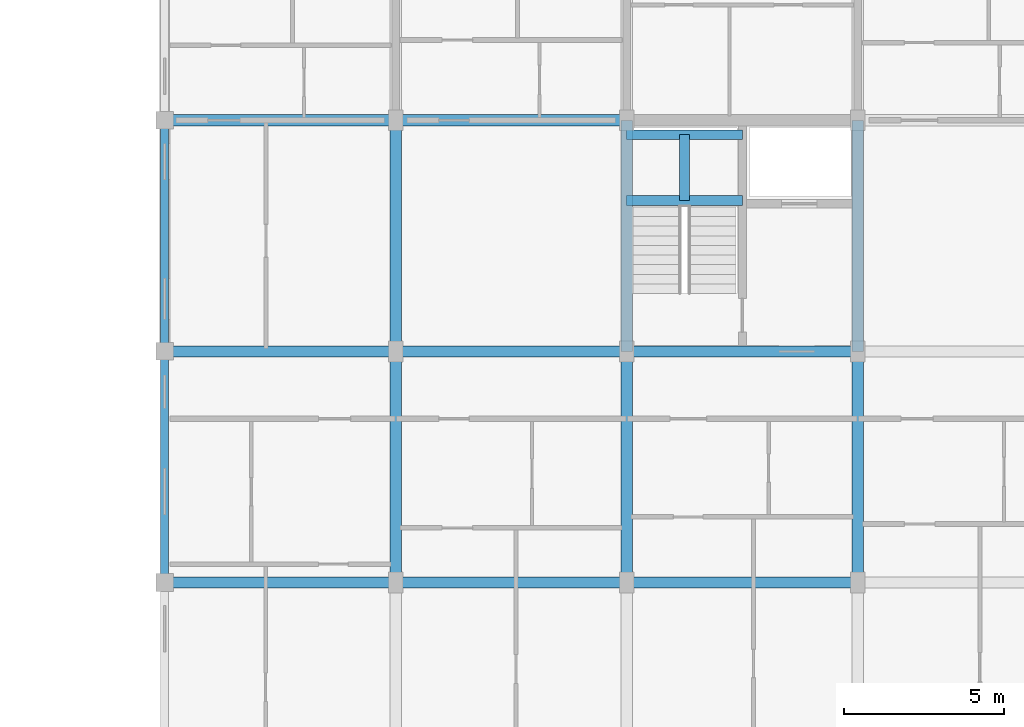
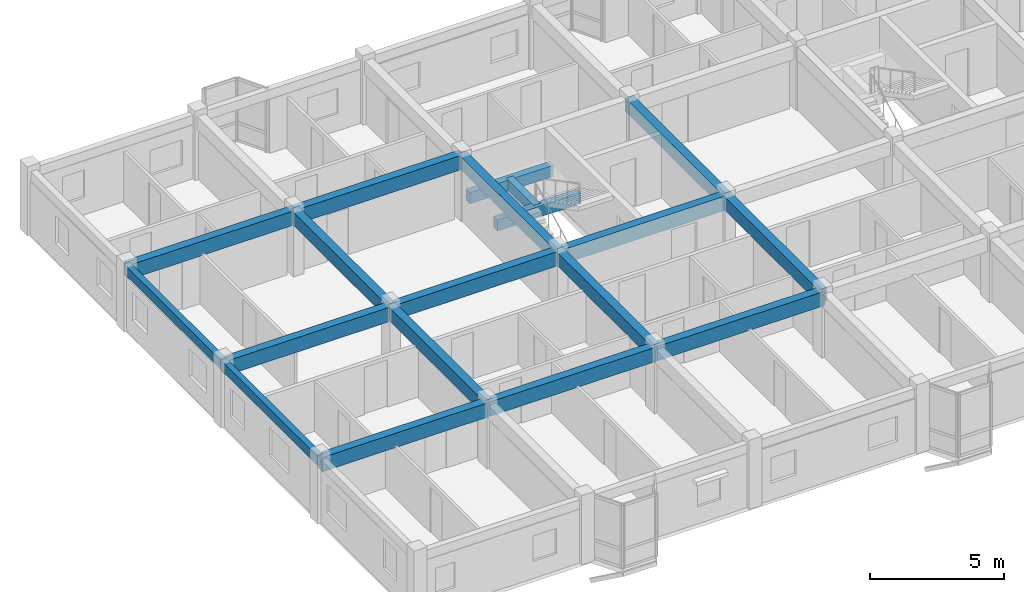
# One storey, part 36 of 77: 19 beams.
"""IFC4 building model written with IfcOpenShell, lengths in metres."""

import ifcopenshell
import ifcopenshell.guid

model = None  # the IFC model being written
_history = None  # IfcOwnerHistory: only IFC2X3 demands one
_inside = {}  # id of a spatial element -> (the spatial element, [elements in it])
_under = {}  # id of a project, library or spatial element -> (it, [spatial elements below it])
_declared = {}  # id of a project -> (the project, [libraries it declares])
_typed = {}  # id of a type object -> (the type object, [elements of that type])
_made_of = {}  # id of a material, layer set ... -> (it, [elements and type objects made of it])


def new_model(schema):
    """Start an empty IFC model of exactly this schema.

    Asked for "IFC4X3", IfcOpenShell would pick the latest addendum, in which some entities
    have other attributes; the version numbers below select the first issue.
    IFC2X3 requires an IfcOwnerHistory on every rooted entity: one is made here for all.
    """
    global model, _history
    if schema == "IFC4X3":
        model = ifcopenshell.file(schema_version=(4, 3, 0, 0))
    else:
        model = ifcopenshell.file(schema=schema)
    _inside.clear()
    _under.clear()
    _declared.clear()
    _typed.clear()
    _made_of.clear()
    _history = None
    if model.schema == "IFC2X3":
        org = make("IfcOrganization", Name="unknown")
        user = make(
            "IfcPersonAndOrganization",
            ThePerson=make("IfcPerson", FamilyName="unknown"),
            TheOrganization=org,
        )
        app = make(
            "IfcApplication",
            ApplicationDeveloper=org,
            Version="unknown",
            ApplicationFullName="unknown",
            ApplicationIdentifier="unknown",
        )
        _history = make(
            "IfcOwnerHistory",
            OwningUser=user,
            OwningApplication=app,
            ChangeAction="ADDED",
            CreationDate=0,
        )
    return model


def make(cls, **values):
    """One entity of the class cls with the attributes given. An attribute that is None is left unset."""
    return model.create_entity(
        cls, **{name: value for name, value in values.items() if value is not None}
    )


def rooted(cls, **values):
    """An entity with a GlobalId (a new one), such as an element, a storey or a relation."""
    return make(cls, GlobalId=ifcopenshell.guid.new(), OwnerHistory=_history, **values)


def si_unit(unit_type, name, prefix=None):
    """IfcSIUnit, for example si_unit("LENGTHUNIT", "METRE", prefix="MILLI")."""
    return make("IfcSIUnit", UnitType=unit_type, Prefix=prefix, Name=name)


def assignment(units):
    """IfcUnitAssignment: the units of a project."""
    return None if units is None else make("IfcUnitAssignment", Units=units)


def point(xyz):
    """IfcCartesianPoint."""
    return None if xyz is None else make("IfcCartesianPoint", Coordinates=xyz)


def direction(xyz):
    """IfcDirection."""
    return None if xyz is None else make("IfcDirection", DirectionRatios=xyz)


def frame(location, z_axis=None, x_axis=None):
    """IfcAxis2Placement3D, a coordinate frame: its origin and axes. An axis left out is left unset."""
    return make(
        "IfcAxis2Placement3D",
        Location=point(location),
        Axis=direction(z_axis),
        RefDirection=direction(x_axis),
    )


def frame_2d(location, x_axis=None):
    """IfcAxis2Placement2D, a coordinate frame in the plane: its origin and x axis."""
    return make(
        "IfcAxis2Placement2D", Location=point(location), RefDirection=direction(x_axis)
    )


def origin():
    """The frame at (0, 0, 0) with its axes left unset."""
    return frame((0.0, 0.0, 0.0))


def origin_2d():
    """The frame at (0, 0) in the plane with its x axis left unset."""
    return frame_2d((0.0, 0.0))


def place(relative_to, where):
    """IfcLocalPlacement: puts the frame where relative to a parent placement (None: the world)."""
    return make(
        "IfcLocalPlacement", PlacementRelTo=relative_to, RelativePlacement=where
    )


def context(
    kind, dimensions, precision=None, world=None, true_north=None, identifier=None
):
    """IfcGeometricRepresentationContext, for example the 3D "Model" context."""
    return make(
        "IfcGeometricRepresentationContext",
        ContextIdentifier=identifier,
        ContextType=kind,
        CoordinateSpaceDimension=dimensions,
        Precision=precision,
        WorldCoordinateSystem=world,
        TrueNorth=true_north,
    )


def subcontext(parent, identifier, kind, view, scale=None):
    """IfcGeometricRepresentationSubContext, for example "Body" below "Model"."""
    return make(
        "IfcGeometricRepresentationSubContext",
        ContextIdentifier=identifier,
        ContextType=kind,
        ParentContext=parent,
        TargetScale=scale,
        TargetView=view,
    )


def project(units=None, contexts=None):
    """IfcProject with its units and contexts."""
    return rooted(
        "IfcProject",
        Name="project",
        RepresentationContexts=contexts,
        UnitsInContext=assignment(units),
    )


def spatial(cls, under=None, at=None, **own):
    """A site, building, storey or space (cls), placed at a placement, below another one or the project."""
    s = rooted(cls, ObjectPlacement=at, **own)
    if under is not None:
        _under.setdefault(under.id(), (under, []))[1].append(s)
    return s


def profile(cls, at=None, kind="AREA", **sizes):
    """A parametric profile (cls). Its sizes go by their IFC names, for example OverallWidth=200.0."""
    return make(cls, ProfileType=kind, Position=at, **sizes)


def rectangle(**sizes):
    """IfcRectangleProfileDef."""
    return profile("IfcRectangleProfileDef", **sizes)


def extrude(swept, where, along, depth):
    """IfcExtrudedAreaSolid: the profile swept, set in the frame where, extruded along a direction by depth."""
    return make(
        "IfcExtrudedAreaSolid",
        SweptArea=swept,
        Position=where,
        ExtrudedDirection=direction(along),
        Depth=depth,
    )


def shape(context_of_items, identifier, shape_type, items):
    """IfcShapeRepresentation: the items that make up one representation, for example the "Body"."""
    return make(
        "IfcShapeRepresentation",
        ContextOfItems=context_of_items,
        RepresentationIdentifier=identifier,
        RepresentationType=shape_type,
        Items=items,
    )


def material(Name=None, Category=None):
    """IfcMaterial."""
    return make("IfcMaterial", Name=Name, Category=Category)


def material_profile(
    of_material, cross_section, Name=None, Category=None, Priority=None
):
    """IfcMaterialProfile: a cross section and its material."""
    return make(
        "IfcMaterialProfile",
        Name=Name,
        Material=of_material,
        Profile=cross_section,
        Priority=Priority,
        Category=Category,
    )


def profile_set(profiles, Name=None, composite=None):
    """IfcMaterialProfileSet."""
    return make(
        "IfcMaterialProfileSet",
        Name=Name,
        MaterialProfiles=profiles,
        CompositeProfile=composite,
    )


def made_of(thing, what):
    """Note that an element or type object is made of a material, layer set ...; save() writes the relation."""
    if what is not None:
        _made_of.setdefault(what.id(), (what, []))[1].append(thing)
    return thing


def type_object(cls, material=None, **own):
    """A type object (cls), such as IfcWallType, which elements share."""
    return made_of(rooted(cls, **own), material)


def element(
    cls,
    number,
    at=None,
    inside=None,
    cuts=None,
    type_object=None,
    material=None,
    context=None,
    identifier="Body",
    shape_type=None,
    held_by="IfcProductDefinitionShape",
    body=None,
    shapes=None,
    **own,
):
    """One element of the class cls, such as IfcWall. Its Tag is "e" and its number.

    at: its placement. inside: the storey or other place that contains it. cuts: it is an
    opening in that element (IfcRelVoidsElement). A single representation is given by context,
    identifier, shape_type and body (its items); several are given by shapes. held_by: the class
    of the entity that holds the representations. save() writes the other relations.
    """
    e = rooted(cls, Tag="e%d" % number, ObjectPlacement=at, **own)
    if body is not None:
        shapes = [shape(context, identifier, shape_type, body)]
    if shapes is not None:
        e.Representation = make(held_by, Representations=shapes)
    if inside is not None:
        _inside.setdefault(inside.id(), (inside, []))[1].append(e)
    if cuts is not None:
        rooted(
            "IfcRelVoidsElement", RelatingBuildingElement=cuts, RelatedOpeningElement=e
        )
    if type_object is not None:
        _typed.setdefault(type_object.id(), (type_object, []))[1].append(e)
    return made_of(e, material)


def aggregate(whole, parts):
    """IfcRelAggregates: a whole, such as a stair, and the parts it consists of."""
    return rooted("IfcRelAggregates", RelatingObject=whole, RelatedObjects=parts)


def save(model, path):
    """Write the relations noted so far, then the file.

    IfcRelAggregates (storeys below a building ...), IfcRelContainedInSpatialStructure (elements
    in a storey), IfcRelDefinesByType, IfcRelAssociatesMaterial and IfcRelDeclares: one each for
    every whole, place, type object, material and project.
    """
    for whole, parts in _under.values():
        aggregate(whole, parts)
    for where, things in _inside.values():
        rooted(
            "IfcRelContainedInSpatialStructure",
            RelatedElements=things,
            RelatingStructure=where,
        )
    for kind, things in _typed.values():
        rooted("IfcRelDefinesByType", RelatedObjects=things, RelatingType=kind)
    for what, things in _made_of.values():
        rooted("IfcRelAssociatesMaterial", RelatedObjects=things, RelatingMaterial=what)
    for by, libraries in _declared.values():
        rooted("IfcRelDeclares", RelatingContext=by, RelatedDefinitions=libraries)
    model.write(path)


model = new_model("IFC4")

# Units and contexts
model_context = context("Model", 3, precision=1e-05, world=origin(), true_north=direction((0.0, 1.0)))
body_context = subcontext(model_context, "Body", "Model", "MODEL_VIEW")
ifc_project = project(units=[si_unit("LENGTHUNIT", "METRE"), si_unit("AREAUNIT", "SQUARE_METRE"), si_unit("VOLUMEUNIT", "CUBIC_METRE"), si_unit("PLANEANGLEUNIT", "RADIAN"), si_unit("MASSUNIT", "GRAM", prefix="KILO"), si_unit("THERMODYNAMICTEMPERATUREUNIT", "KELVIN"), si_unit("POWERUNIT", "WATT")], contexts=[model_context])

# Site, building, storey
site_placement = place(None, origin())
site = spatial("IfcSite", under=ifc_project, at=site_placement, CompositionType="ELEMENT")
building_placement = place(site_placement, origin())
building = spatial("IfcBuilding", under=site, at=building_placement, Name="Tavuni Mirador Residences", CompositionType="ELEMENT")
storey_placement = place(building_placement, frame((0.0, 0.0, 17.10009765625)))
storey = spatial("IfcBuildingStorey", under=building, at=storey_placement, Name="L05", CompositionType="ELEMENT", Elevation=17.10009765625)

# Beams
ifc_material = material(Name="Precast concrete C40/50", Category="concrete")
ifc_material_profile_1 = material_profile(ifc_material, rectangle(XDim=0.300048828125, YDim=0.5, at=origin_2d()), Name="PC 300x500", Category="concrete")
ifc_profile_set_1 = profile_set([ifc_material_profile_1], Name="Precast concrete C40/50")
beam_type_1 = type_object("IfcBeamType", Name="BT-B500", PredefinedType="BEAM", material=ifc_profile_set_1)
for number, where, z_axis, x_axis, name in (
    (1, (25.199951171875, 163.10009765625, 1.14501953125), (1.0, 0.0, 0.0), (0.0, 1.0, 0.0), "HLB1-C5-L05"),
    (2, (25.199951171875, 165.14990234375, 1.14501953125), (1.0, 0.0, 0.0), (0.0, 1.0, 0.0), "HLB2-C5-L05"),
):
    element("IfcBeam", number, at=place(storey_placement, frame(where, z_axis=z_axis, x_axis=x_axis)), inside=storey, type_object=beam_type_1, Name=name, PredefinedType="BEAM", context=body_context, shape_type="SweptSolid", body=[
        extrude(rectangle(XDim=0.300048828125, YDim=0.5, at=origin_2d()), origin(), (0.0, 0.0, 1.0), 3.60009765625),
    ])
beam_1_placement = place(storey_placement, frame((27.0, 163.10009765625, 1.14501953125), z_axis=(0.0, 1.0, 0.0), x_axis=(-1.0, 0.0, 0.0)))
element("IfcBeam", 3, at=beam_1_placement, inside=storey, type_object=beam_type_1, Name="HLB3-C5-L05", PredefinedType="BEAM", context=body_context, shape_type="SweptSolid", body=[
    extrude(rectangle(XDim=0.300048828125, YDim=0.5, at=origin_2d()), origin(), (0.0, 0.0, 1.0), 2.0498046875),
])
ifc_material_profile_2 = material_profile(ifc_material, rectangle(XDim=0.35009765625, YDim=0.60009765625, at=origin_2d()), Name="PC 350x600", Category="concrete")
ifc_profile_set_2 = profile_set([ifc_material_profile_2], Name="Precast concrete C40/50")
beam_type_2 = type_object("IfcBeamType", Name="BT-B600", PredefinedType="BEAM", material=ifc_profile_set_2)
beam_2_placement = place(storey_placement, frame((18.0, 151.199951171875, 2.5849609375), z_axis=(0.0, 1.0, 0.0), x_axis=(-1.0, 0.0, 0.0)))
element("IfcBeam", 4, at=beam_2_placement, inside=storey, type_object=beam_type_2, Name="BMY-BLK-C-L05-01-01", PredefinedType="BEAM", context=body_context, shape_type="SweptSolid", body=[
    extrude(rectangle(XDim=0.35009765625, YDim=0.60009765625, at=origin_2d()), origin(), (0.0, 0.0, 1.0), 7.199951171875),
])
beam_3_placement = place(storey_placement, frame((18.0, 158.39990234375, 2.5849609375), z_axis=(0.0, 1.0, 0.0), x_axis=(-1.0, 0.0, 0.0)))
element("IfcBeam", 5, at=beam_3_placement, inside=storey, type_object=beam_type_2, Name="BMY-BLK-C-L05-01-02", PredefinedType="BEAM", context=body_context, shape_type="SweptSolid", body=[
    extrude(rectangle(XDim=0.35009765625, YDim=0.60009765625, at=origin_2d()), origin(), (0.0, 0.0, 1.0), 7.2001953125),
])
beam_4_placement = place(storey_placement, frame((25.199951171875, 151.199951171875, 2.5849609375), z_axis=(0.0, 1.0, 0.0), x_axis=(-1.0, 0.0, 0.0)))
element("IfcBeam", 6, at=beam_4_placement, inside=storey, type_object=beam_type_2, Name="BMY-BLK-C-L05-02-01", PredefinedType="BEAM", context=body_context, shape_type="SweptSolid", body=[
    extrude(rectangle(XDim=0.35009765625, YDim=0.60009765625, at=origin_2d()), origin(), (0.0, 0.0, 1.0), 7.199951171875),
])
beam_5_placement = place(storey_placement, frame((25.199951171875, 158.39990234375, 2.5849609375), z_axis=(0.0, 1.0, 0.0), x_axis=(-1.0, 0.0, 0.0)))
element("IfcBeam", 7, at=beam_5_placement, inside=storey, type_object=beam_type_2, Name="BMY-BLK-C-L05-02-02", PredefinedType="BEAM", context=body_context, shape_type="SweptSolid", body=[
    extrude(rectangle(XDim=0.35009765625, YDim=0.60009765625, at=origin_2d()), origin(), (0.0, 0.0, 1.0), 7.2001953125),
])
beam_6_placement = place(storey_placement, frame((32.39990234375, 151.199951171875, 2.5849609375), z_axis=(0.0, 1.0, 0.0), x_axis=(-1.0, 0.0, 0.0)))
element("IfcBeam", 8, at=beam_6_placement, inside=storey, type_object=beam_type_2, Name="BMY-BLK-C-L05-03-01", PredefinedType="BEAM", context=body_context, shape_type="SweptSolid", body=[
    extrude(rectangle(XDim=0.35009765625, YDim=0.60009765625, at=origin_2d()), origin(), (0.0, 0.0, 1.0), 7.199951171875),
])
beam_7_placement = place(storey_placement, frame((32.39990234375, 158.39990234375, 2.5849609375), z_axis=(0.0, 1.0, 0.0), x_axis=(-1.0, 0.0, 0.0)))
element("IfcBeam", 9, at=beam_7_placement, inside=storey, type_object=beam_type_2, Name="BMY-BLK-C-L05-03-02", PredefinedType="BEAM", context=body_context, shape_type="SweptSolid", body=[
    extrude(rectangle(XDim=0.35009765625, YDim=0.60009765625, at=origin_2d()), origin(), (0.0, 0.0, 1.0), 7.2001953125),
])
ifc_material_profile_3 = material_profile(ifc_material, rectangle(XDim=0.35009765625, YDim=0.64990234375, at=origin_2d()), Name="PC 350x650", Category="concrete")
ifc_profile_set_3 = profile_set([ifc_material_profile_3], Name="Precast concrete C40/50")
beam_type_3 = type_object("IfcBeamType", Name="BT-B650", PredefinedType="BEAM", material=ifc_profile_set_3)
for number, where, z_axis, x_axis, name in (
    (10, (10.800048828125, 151.199951171875, 2.559814453125), (1.0, 0.0, 0.0), (0.0, 1.0, 0.0), "BMX-BLK-C-L05-00-01"),
    (11, (18.0, 151.199951171875, 2.559814453125), (1.0, 0.0, 0.0), (0.0, 1.0, 0.0), "BMX-BLK-C-L05-01-01"),
    (12, (25.199951171875, 151.199951171875, 2.559814453125), (1.0, 0.0, 0.0), (0.0, 1.0, 0.0), "BMX-BLK-C-L05-02-01"),
    (13, (10.800048828125, 158.39990234375, 2.559814453125), (1.0, 0.0, 0.0), (0.0, 1.0, 0.0), "BMX-BLK-C-L05-00-02"),
    (14, (18.0, 158.39990234375, 2.559814453125), (1.0, 0.0, 0.0), (0.0, 1.0, 0.0), "BMX-BLK-C-L05-01-02"),
    (15, (25.199951171875, 158.39990234375, 2.559814453125), (1.0, 0.0, 0.0), (0.0, 1.0, 0.0), "BMX-BLK-C-L05-02-02"),
    (16, (10.800048828125, 165.60009765625, 2.559814453125), (1.0, 0.0, 0.0), (0.0, 1.0, 0.0), "BMX-BLK-C-L05-00-03"),
    (17, (18.0, 165.60009765625, 2.559814453125), (1.0, 0.0, 0.0), (0.0, 1.0, 0.0), "BMX-BLK-C-L05-01-03"),
):
    element("IfcBeam", number, at=place(storey_placement, frame(where, z_axis=z_axis, x_axis=x_axis)), inside=storey, type_object=beam_type_3, Name=name, PredefinedType="BEAM", context=body_context, shape_type="SweptSolid", body=[
        extrude(rectangle(XDim=0.35009765625, YDim=0.64990234375, at=origin_2d()), origin(), (0.0, 0.0, 1.0), 7.199951171875),
    ])
ifc_material_profile_4 = material_profile(ifc_material, rectangle(XDim=0.25, YDim=0.419921875, at=origin_2d()), Name="PC 250x420", Category="concrete")
ifc_profile_set_4 = profile_set([ifc_material_profile_4], Name="Precast concrete C40/50")
beam_type_4 = type_object("IfcBeamType", Name="BT-SP420", PredefinedType="SPANDREL", material=ifc_profile_set_4)
beam_8_placement = place(storey_placement, frame((10.800048828125, 151.199951171875, 2.6748046875), z_axis=(0.0, 1.0, 0.0), x_axis=(-1.0, 0.0, 0.0)))
element("IfcBeam", 18, at=beam_8_placement, inside=storey, type_object=beam_type_4, Name="BMY-BLK-C-L05-00-01", PredefinedType="SPANDREL", context=body_context, shape_type="SweptSolid", body=[
    extrude(rectangle(XDim=0.25, YDim=0.419921875, at=origin_2d()), origin(), (0.0, 0.0, 1.0), 7.199951171875),
])
beam_9_placement = place(storey_placement, frame((10.800048828125, 158.39990234375, 2.6748046875), z_axis=(0.0, 1.0, 0.0), x_axis=(-1.0, 0.0, 0.0)))
element("IfcBeam", 19, at=beam_9_placement, inside=storey, type_object=beam_type_4, Name="BMY-BLK-C-L05-00-02", PredefinedType="SPANDREL", context=body_context, shape_type="SweptSolid", body=[
    extrude(rectangle(XDim=0.25, YDim=0.419921875, at=origin_2d()), origin(), (0.0, 0.0, 1.0), 7.2001953125),
])

save(model, "model.ifc")
